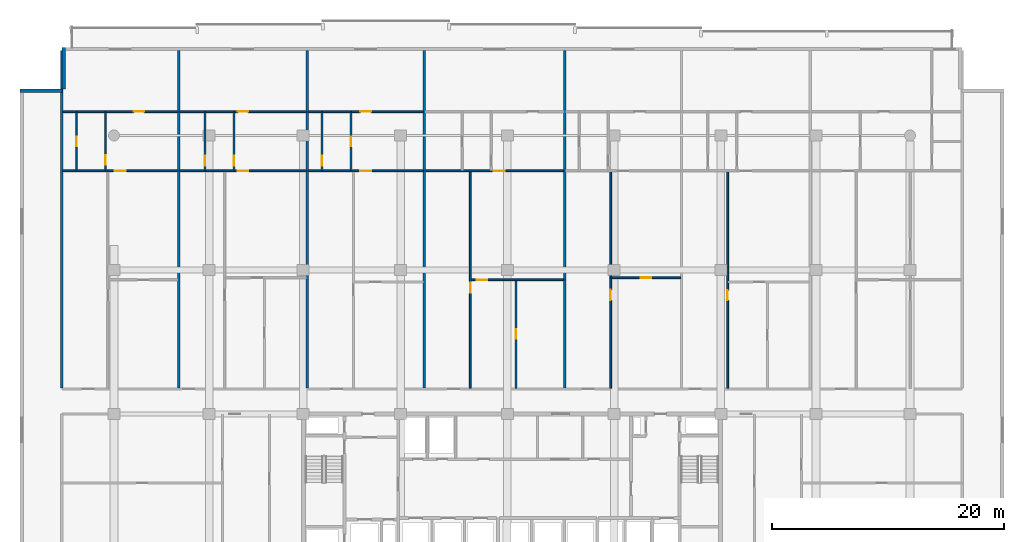
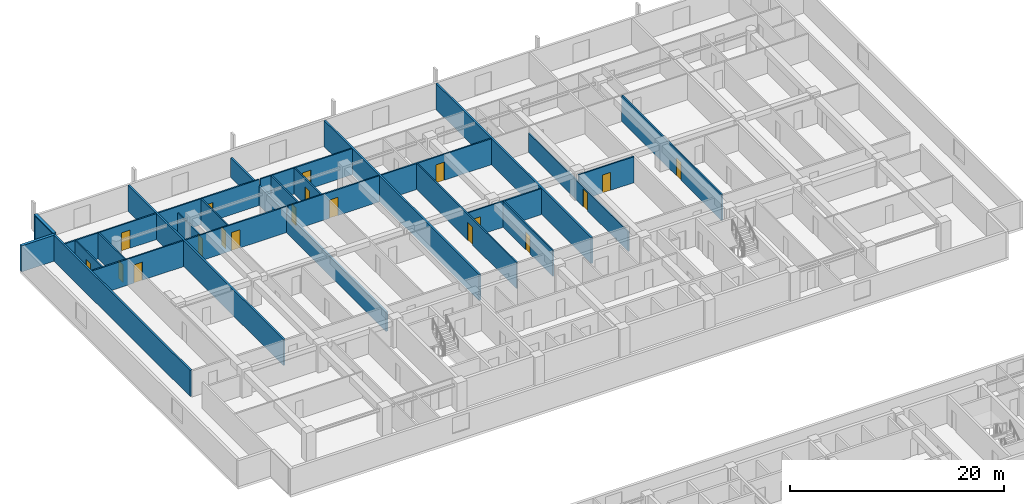
# One storey, part 14 of 23: 26 walls, 19 doors, 19 openings.
"""IFC4 building model written with IfcOpenShell, lengths in metres."""

from ifc_helpers import new_model, si_unit, direction, frame, frame_2d, origin, place, context, subcontext, project, spatial, rectangle, extrude, material, layer, layer_set, type_object, element, fill, save


model = new_model("IFC4")

# Units and contexts
model_context = context("Model", 3, precision=1e-05, world=origin(), true_north=direction((0.0, 1.0)))
body_context = subcontext(model_context, "Body", "Model", "MODEL_VIEW")
ifc_project = project(units=[si_unit("LENGTHUNIT", "METRE"), si_unit("AREAUNIT", "SQUARE_METRE"), si_unit("VOLUMEUNIT", "CUBIC_METRE"), si_unit("PLANEANGLEUNIT", "RADIAN"), si_unit("MASSUNIT", "GRAM", prefix="KILO")], contexts=[model_context])

# Site, building, storey
site_placement = place(None, origin())
site = spatial("IfcSite", under=ifc_project, at=site_placement, CompositionType="ELEMENT")
building_placement = place(site_placement, origin())
building = spatial("IfcBuilding", under=site, at=building_placement, Name="Korimba Cascade Residences", CompositionType="ELEMENT")
storey_placement = place(building_placement, frame((0.0, 0.0, 27.25)))
storey = spatial("IfcBuildingStorey", under=building, at=storey_placement, Name="L06", CompositionType="ELEMENT", Elevation=27.25)

# Walls
ifc_material_1 = material(Name="Precast concrete C40/50", Category="concrete")
ifc_layer_1 = layer(ifc_material_1, 0.300048828125)
ifc_layer_set_1 = layer_set([ifc_layer_1], Name="Precast concrete C40/50")
wall_type_1 = type_object("IfcWallType", Name="EW-STONE-300", PredefinedType="STANDARD", material=ifc_layer_set_1)
for number, where, z_axis, x_axis, name in (
    (1, (55.449951171875, 98.800048828125, 0.0), (0.0, 0.0, 1.0), (0.0, -1.0, 0.0), "L06 T1 Perimeter Stone Wall E07"),
    (2, (55.300048828125, 95.050048828125, 0.0), (0.0, 0.0, 1.0), (-1.0, 0.0, 0.0), "L06 T1 Perimeter Stone Wall E08"),
):
    element("IfcWall", number, at=place(storey_placement, frame(where, z_axis=z_axis, x_axis=x_axis)), inside=storey, type_object=wall_type_1, Name=name, PredefinedType="STANDARD", context=body_context, shape_type="SweptSolid", body=[
        extrude(rectangle(XDim=3.60009765625, YDim=0.300048828125, at=frame_2d((1.800048828125, 0.0))), origin(), (0.0, 0.0, 1.0), 2.969970703125),
    ])
ifc_layer_2 = layer(ifc_material_1, 0.199951171875)
ifc_layer_set_2 = layer_set([ifc_layer_2], Name="Precast concrete C40/50")
wall_type_2 = type_object("IfcWallType", Name="WAL-IT-200", PredefinedType="PARTITIONING", material=ifc_layer_set_2)
for number, where, z_axis, x_axis, name in (
    (3, (55.300048828125, 69.429931640625, 0.0), (0.0, 0.0, 1.0), (0.0, 1.0, 0.0), "L06 Partition Wall WAL-L06-T1-BNDWL"),
    (4, (65.3779296875, 69.429931640625, 0.0), (0.0, 0.0, 1.0), (0.0, 1.0, 0.0), "L06 Partition Wall WAL-L06-T1-DEM-1"),
):
    element("IfcWall", number, at=place(storey_placement, frame(where, z_axis=z_axis, x_axis=x_axis)), inside=storey, type_object=wall_type_2, Name=name, PredefinedType="PARTITIONING", context=body_context, shape_type="SweptSolid", body=[
        extrude(rectangle(XDim=29.070068359375, YDim=0.199951171875, at=frame_2d((14.53515625, 0.0))), origin(), (0.0, 0.0, 1.0), 2.969970703125),
    ])
wall_1_placement = place(storey_placement, frame((76.463623046875, 69.429931640625, 0.0), z_axis=(0.0, 0.0, 1.0), x_axis=(0.0, 1.0, 0.0)))
element("IfcWall", 5, at=wall_1_placement, inside=storey, type_object=wall_type_2, Name="L06 Partition Wall WAL-L06-T1-DEM-2", PredefinedType="PARTITIONING", context=body_context, shape_type="SweptSolid", body=[
    extrude(rectangle(XDim=29.070068359375, YDim=0.199951171875, at=frame_2d((14.53515625, 0.0))), origin(), (0.0, 0.0, 1.0), 2.219970703125),
])
for number, where, z_axis, x_axis, name in (
    (6, (86.54150390625, 69.429931640625, 0.0), (0.0, 0.0, 1.0), (0.0, 1.0, 0.0), "L06 Partition Wall WAL-L06-T1-DEM-3"),
    (7, (98.635009765625, 69.429931640625, 0.0), (0.0, 0.0, 1.0), (0.0, 1.0, 0.0), "L06 Partition Wall WAL-L06-T1-DEM-4"),
):
    element("IfcWall", number, at=place(storey_placement, frame(where, z_axis=z_axis, x_axis=x_axis)), inside=storey, type_object=wall_type_2, Name=name, PredefinedType="PARTITIONING", context=body_context, shape_type="SweptSolid", body=[
        extrude(rectangle(XDim=29.070068359375, YDim=0.199951171875, at=frame_2d((14.53515625, 0.0))), origin(), (0.0, 0.0, 1.0), 2.969970703125),
    ])

# Wall, opening, door
ifc_material_2 = material(Name="Insulated Acoustic Stud Partition", Category="gypsum")
ifc_layer_3 = layer(ifc_material_2, 0.14990234375)
ifc_layer_set_3 = layer_set([ifc_layer_3], Name="Insulated Acoustic Stud Partition")
wall_type_3 = type_object("IfcWallType", Name="WAL-PART-150", PredefinedType="PARTITIONING", material=ifc_layer_set_3)
wall_2_placement = place(storey_placement, frame((56.557861328125, 88.18994140625, 0.0), z_axis=(0.0, 0.0, 1.0), x_axis=(0.0, 1.0, 0.0)))
wall_2 = element("IfcWall", 8, at=wall_2_placement, inside=storey, type_object=wall_type_3, Name="L06 Partition Wall WAL-L06-T1-U01-CLS", PredefinedType="PARTITIONING", context=body_context, shape_type="SweptSolid", body=[
    extrude(rectangle(XDim=5.0, YDim=0.14990234375, at=frame_2d((2.5, 0.0))), origin(), (0.0, 0.0, 1.0), 2.969970703125),
])
opening_1_placement = place(wall_2_placement, frame((2.080078125, 0.0, 0.0)))
opening_1 = element("IfcOpeningElement", 9, at=opening_1_placement, cuts=wall_2, Name="Opening D-BT1", PredefinedType="OPENING", context=body_context, shape_type="SweptSolid", body=[
    extrude(rectangle(XDim=0.840087890625, YDim=2.0400390625, at=frame_2d((0.419921875, 1.02001953125))), frame((0.0, 0.0849609375, 0.0), z_axis=(0.0, -1.0, 0.0), x_axis=(1.0, 0.0, 0.0)), (0.0, 0.0, 1.0), 0.169921875),
])
ifc_material_3 = material(Name="Moisture-Resistant Bathroom Timber Door", Category="wood")
door_type_1 = type_object("IfcDoorType", Name="DR-INT-850", OperationType="NOTDEFINED", PredefinedType="DOOR", material=ifc_material_3)
door_1_placement = place(opening_1_placement, origin())
door_1 = element("IfcDoor", 10, at=door_1_placement, inside=storey, type_object=door_type_1, Name="L06-T1-U01 Closet Door", OperationType="SINGLE_SWING_RIGHT", OverallHeight=2.0400390625, OverallWidth=0.840087890625, PredefinedType="DOOR", context=body_context, shape_type="SweptSolid", body=[
    extrude(rectangle(XDim=0.840087890625, YDim=2.0400390625, at=frame_2d((0.419921875, 1.02001953125))), frame((0.0, 0.02490234375, 0.0), z_axis=(0.0, -1.0, 0.0), x_axis=(1.0, 0.0, 0.0)), (0.0, 0.0, 1.0), 0.050048828125),
])
fill(opening_1, door_1)

wall_3_placement = place(storey_placement, frame((59.057861328125, 88.18994140625, 0.0), z_axis=(0.0, 0.0, 1.0), x_axis=(0.0, 1.0, 0.0)))
wall_3 = element("IfcWall", 11, at=wall_3_placement, inside=storey, type_object=wall_type_3, Name="L06 Partition Wall WAL-L06-T1-U01-BM", PredefinedType="PARTITIONING", context=body_context, shape_type="SweptSolid", body=[
    extrude(rectangle(XDim=5.0, YDim=0.14990234375, at=frame_2d((2.5, 0.0))), origin(), (0.0, 0.0, 1.0), 2.969970703125),
])
opening_2_placement = place(wall_3_placement, frame((0.46728515625, 0.0, 0.0)))
opening_2 = element("IfcOpeningElement", 12, at=opening_2_placement, cuts=wall_3, Name="Opening D-BT1", PredefinedType="OPENING", context=body_context, shape_type="SweptSolid", body=[
    extrude(rectangle(XDim=0.840087890625, YDim=2.0400390625, at=frame_2d((0.419921875, 1.02001953125))), frame((0.0, 0.0849609375, 0.0), z_axis=(0.0, -1.0, 0.0), x_axis=(1.0, 0.0, 0.0)), (0.0, 0.0, 1.0), 0.169921875),
])
door_2_placement = place(opening_2_placement, origin())
door_2 = element("IfcDoor", 13, at=door_2_placement, inside=storey, type_object=door_type_1, Name="L06-T1-U01 Bathroom Door", OperationType="SINGLE_SWING_LEFT", OverallHeight=2.0400390625, OverallWidth=0.840087890625, PredefinedType="DOOR", context=body_context, shape_type="SweptSolid", body=[
    extrude(rectangle(XDim=0.840087890625, YDim=2.0400390625, at=frame_2d((0.419921875, 1.02001953125))), frame((0.0, 0.02490234375, 0.0), z_axis=(0.0, -1.0, 0.0), x_axis=(1.0, 0.0, 0.0)), (0.0, 0.0, 1.0), 0.050048828125),
])
fill(opening_2, door_2)

wall_4_placement = place(storey_placement, frame((55.3798828125, 88.14990234375, 0.0), z_axis=(0.0, 0.0, 1.0), x_axis=(1.0, 0.0, 0.0)))
wall_4 = element("IfcWall", 14, at=wall_4_placement, inside=storey, type_object=wall_type_3, Name="L06 Partition Wall WAL-L06-T1-U01-MW", PredefinedType="PARTITIONING", context=body_context, shape_type="SweptSolid", body=[
    extrude(rectangle(XDim=9.91796875, YDim=0.14990234375, at=frame_2d((4.958984375, 0.0))), origin(), (0.0, 0.0, 1.0), 2.969970703125),
])
opening_3_placement = place(wall_4_placement, frame((4.498779296875, 0.0, 0.0)))
opening_3 = element("IfcOpeningElement", 15, at=opening_3_placement, cuts=wall_4, Name="Opening D-IN1", PredefinedType="OPENING", context=body_context, shape_type="SweptSolid", body=[
    extrude(rectangle(XDim=0.919921875, YDim=2.080078125, at=frame_2d((0.4599609375, 1.0400390625))), frame((0.0, 0.0849609375, 0.0), z_axis=(0.0, -1.0, 0.0), x_axis=(1.0, 0.0, 0.0)), (0.0, 0.0, 1.0), 0.169921875),
])
ifc_material_4 = material(Name="Acoustic Timber Living Door", Category="wood")
door_type_2 = type_object("IfcDoorType", Name="DR-INT-920", OperationType="NOTDEFINED", PredefinedType="DOOR", material=ifc_material_4)
door_3_placement = place(opening_3_placement, origin())
door_3 = element("IfcDoor", 16, at=door_3_placement, inside=storey, type_object=door_type_2, Name="L06-T1-U01 Studio Kitchen Door", OperationType="SINGLE_SWING_RIGHT", OverallHeight=2.080078125, OverallWidth=0.919921875, PredefinedType="DOOR", context=body_context, shape_type="SweptSolid", body=[
    extrude(rectangle(XDim=0.919921875, YDim=2.080078125, at=frame_2d((0.4599609375, 1.0400390625))), frame((0.0, 0.02490234375, 0.0), z_axis=(0.0, -1.0, 0.0), x_axis=(1.0, 0.0, 0.0)), (0.0, 0.0, 1.0), 0.050048828125),
])
fill(opening_3, door_3)

wall_5_placement = place(storey_placement, frame((55.3798828125, 93.25, 0.0), z_axis=(0.0, 0.0, 1.0), x_axis=(1.0, 0.0, 0.0)))
wall_5 = element("IfcWall", 17, at=wall_5_placement, inside=storey, type_object=wall_type_3, Name="L06 Partition Wall WAL-L06-T1-U01-HZ", PredefinedType="PARTITIONING", context=body_context, shape_type="SweptSolid", body=[
    extrude(rectangle(XDim=9.91796875, YDim=0.14990234375, at=frame_2d((4.958984375, 0.0))), origin(), (0.0, 0.0, 1.0), 2.969970703125),
])
opening_4_placement = place(wall_5_placement, frame((6.126708984375, 0.0, 0.0)))
opening_4 = element("IfcOpeningElement", 18, at=opening_4_placement, cuts=wall_5, Name="Opening D-IN1", PredefinedType="OPENING", context=body_context, shape_type="SweptSolid", body=[
    extrude(rectangle(XDim=0.919921875, YDim=2.080078125, at=frame_2d((0.4599609375, 1.0400390625))), frame((0.0, 0.0849609375, 0.0), z_axis=(0.0, -1.0, 0.0), x_axis=(1.0, 0.0, 0.0)), (0.0, 0.0, 1.0), 0.169921875),
])
door_4_placement = place(opening_4_placement, origin())
door_4 = element("IfcDoor", 19, at=door_4_placement, inside=storey, type_object=door_type_2, Name="L06-T1-U01 Studio Door", OperationType="SINGLE_SWING_LEFT", OverallHeight=2.080078125, OverallWidth=0.919921875, PredefinedType="DOOR", context=body_context, shape_type="SweptSolid", body=[
    extrude(rectangle(XDim=0.919921875, YDim=2.080078125, at=frame_2d((0.4599609375, 1.0400390625))), frame((0.0, 0.02490234375, 0.0), z_axis=(0.0, -1.0, 0.0), x_axis=(1.0, 0.0, 0.0)), (0.0, 0.0, 1.0), 0.050048828125),
])
fill(opening_4, door_4)

wall_6_placement = place(storey_placement, frame((67.6435546875, 88.18994140625, 0.0), z_axis=(0.0, 0.0, 1.0), x_axis=(0.0, 1.0, 0.0)))
wall_6 = element("IfcWall", 20, at=wall_6_placement, inside=storey, type_object=wall_type_3, Name="L06 Partition Wall WAL-L06-T1-U02-CLS", PredefinedType="PARTITIONING", context=body_context, shape_type="SweptSolid", body=[
    extrude(rectangle(XDim=5.0, YDim=0.14990234375, at=frame_2d((2.5, 0.0))), origin(), (0.0, 0.0, 1.0), 2.219970703125),
])
opening_5_placement = place(wall_6_placement, frame((0.419189453125, 0.0, 0.0)))
opening_5 = element("IfcOpeningElement", 21, at=opening_5_placement, cuts=wall_6, Name="Opening D-BT1", PredefinedType="OPENING", context=body_context, shape_type="SweptSolid", body=[
    extrude(rectangle(XDim=0.840087890625, YDim=2.0400390625, at=frame_2d((0.419921875, 1.02001953125))), frame((0.0, 0.0849609375, 0.0), z_axis=(0.0, -1.0, 0.0), x_axis=(1.0, 0.0, 0.0)), (0.0, 0.0, 1.0), 0.169921875),
])
door_5_placement = place(opening_5_placement, origin())
door_5 = element("IfcDoor", 22, at=door_5_placement, inside=storey, type_object=door_type_1, Name="L06-T1-U02 Closet Door", OperationType="SINGLE_SWING_LEFT", OverallHeight=2.0400390625, OverallWidth=0.840087890625, PredefinedType="DOOR", context=body_context, shape_type="SweptSolid", body=[
    extrude(rectangle(XDim=0.840087890625, YDim=2.0400390625, at=frame_2d((0.419921875, 1.02001953125))), frame((0.0, 0.02490234375, 0.0), z_axis=(0.0, -1.0, 0.0), x_axis=(1.0, 0.0, 0.0)), (0.0, 0.0, 1.0), 0.050048828125),
])
fill(opening_5, door_5)

wall_7_placement = place(storey_placement, frame((70.1435546875, 88.18994140625, 0.0), z_axis=(0.0, 0.0, 1.0), x_axis=(0.0, 1.0, 0.0)))
wall_7 = element("IfcWall", 23, at=wall_7_placement, inside=storey, type_object=wall_type_3, Name="L06 Partition Wall WAL-L06-T1-U02-BM", PredefinedType="PARTITIONING", context=body_context, shape_type="SweptSolid", body=[
    extrude(rectangle(XDim=5.0, YDim=0.14990234375, at=frame_2d((2.5, 0.0))), origin(), (0.0, 0.0, 1.0), 2.969970703125),
])
opening_6_placement = place(wall_7_placement, frame((0.39990234375, 0.0, 0.0)))
opening_6 = element("IfcOpeningElement", 24, at=opening_6_placement, cuts=wall_7, Name="Opening D-BT1", PredefinedType="OPENING", context=body_context, shape_type="SweptSolid", body=[
    extrude(rectangle(XDim=0.840087890625, YDim=2.0400390625, at=frame_2d((0.419921875, 1.02001953125))), frame((0.0, 0.0849609375, 0.0), z_axis=(0.0, -1.0, 0.0), x_axis=(1.0, 0.0, 0.0)), (0.0, 0.0, 1.0), 0.169921875),
])
door_6_placement = place(opening_6_placement, origin())
door_6 = element("IfcDoor", 25, at=door_6_placement, inside=storey, type_object=door_type_1, Name="L06-T1-U02 Bathroom Door", OperationType="SINGLE_SWING_RIGHT", OverallHeight=2.0400390625, OverallWidth=0.840087890625, PredefinedType="DOOR", context=body_context, shape_type="SweptSolid", body=[
    extrude(rectangle(XDim=0.840087890625, YDim=2.0400390625, at=frame_2d((0.419921875, 1.02001953125))), frame((0.0, 0.02490234375, 0.0), z_axis=(0.0, -1.0, 0.0), x_axis=(1.0, 0.0, 0.0)), (0.0, 0.0, 1.0), 0.050048828125),
])
fill(opening_6, door_6)

wall_8_placement = place(storey_placement, frame((65.4580078125, 88.14990234375, 0.0), z_axis=(0.0, 0.0, 1.0), x_axis=(1.0, 0.0, 0.0)))
wall_8 = element("IfcWall", 26, at=wall_8_placement, inside=storey, type_object=wall_type_3, Name="L06 Partition Wall WAL-L06-T1-U02-MW", PredefinedType="PARTITIONING", context=body_context, shape_type="SweptSolid", body=[
    extrude(rectangle(XDim=10.925537109375, YDim=0.14990234375, at=frame_2d((5.462890625, 0.0))), origin(), (0.0, 0.0, 1.0), 2.969970703125),
])
opening_7_placement = place(wall_8_placement, frame((5.0029296875, 0.0, 0.0)))
opening_7 = element("IfcOpeningElement", 27, at=opening_7_placement, cuts=wall_8, Name="Opening D-IN1", PredefinedType="OPENING", context=body_context, shape_type="SweptSolid", body=[
    extrude(rectangle(XDim=0.919921875, YDim=2.080078125, at=frame_2d((0.4599609375, 1.0400390625))), frame((0.0, 0.0849609375, 0.0), z_axis=(0.0, -1.0, 0.0), x_axis=(1.0, 0.0, 0.0)), (0.0, 0.0, 1.0), 0.169921875),
])
door_7_placement = place(opening_7_placement, origin())
door_7 = element("IfcDoor", 28, at=door_7_placement, inside=storey, type_object=door_type_2, Name="L06-T1-U02 Studio Kitchen Door", OperationType="SINGLE_SWING_LEFT", OverallHeight=2.080078125, OverallWidth=0.919921875, PredefinedType="DOOR", context=body_context, shape_type="SweptSolid", body=[
    extrude(rectangle(XDim=0.919921875, YDim=2.080078125, at=frame_2d((0.4599609375, 1.0400390625))), frame((0.0, 0.02490234375, 0.0), z_axis=(0.0, -1.0, 0.0), x_axis=(1.0, 0.0, 0.0)), (0.0, 0.0, 1.0), 0.050048828125),
])
fill(opening_7, door_7)

wall_9_placement = place(storey_placement, frame((65.4580078125, 93.25, 0.0), z_axis=(0.0, 0.0, 1.0), x_axis=(1.0, 0.0, 0.0)))
wall_9 = element("IfcWall", 29, at=wall_9_placement, inside=storey, type_object=wall_type_3, Name="L06 Partition Wall WAL-L06-T1-U02-HZ", PredefinedType="PARTITIONING", context=body_context, shape_type="SweptSolid", body=[
    extrude(rectangle(XDim=10.925537109375, YDim=0.14990234375, at=frame_2d((5.462890625, 0.0))), origin(), (0.0, 0.0, 1.0), 2.969970703125),
])
opening_8_placement = place(wall_9_placement, frame((5.0029296875, 0.0, 0.0)))
opening_8 = element("IfcOpeningElement", 30, at=opening_8_placement, cuts=wall_9, Name="Opening D-IN1", PredefinedType="OPENING", context=body_context, shape_type="SweptSolid", body=[
    extrude(rectangle(XDim=0.919921875, YDim=2.080078125, at=frame_2d((0.4599609375, 1.0400390625))), frame((0.0, 0.0849609375, 0.0), z_axis=(0.0, -1.0, 0.0), x_axis=(1.0, 0.0, 0.0)), (0.0, 0.0, 1.0), 0.169921875),
])
door_8_placement = place(opening_8_placement, origin())
door_8 = element("IfcDoor", 31, at=door_8_placement, inside=storey, type_object=door_type_2, Name="L06-T1-U02 Studio Door", OperationType="SINGLE_SWING_RIGHT", OverallHeight=2.080078125, OverallWidth=0.919921875, PredefinedType="DOOR", context=body_context, shape_type="SweptSolid", body=[
    extrude(rectangle(XDim=0.919921875, YDim=2.080078125, at=frame_2d((0.4599609375, 1.0400390625))), frame((0.0, 0.02490234375, 0.0), z_axis=(0.0, -1.0, 0.0), x_axis=(1.0, 0.0, 0.0)), (0.0, 0.0, 1.0), 0.050048828125),
])
fill(opening_8, door_8)

wall_10_placement = place(storey_placement, frame((77.721435546875, 88.18994140625, 0.0), z_axis=(0.0, 0.0, 1.0), x_axis=(0.0, 1.0, 0.0)))
wall_10 = element("IfcWall", 32, at=wall_10_placement, inside=storey, type_object=wall_type_3, Name="L06 Partition Wall WAL-L06-T1-U03-CLS", PredefinedType="PARTITIONING", context=body_context, shape_type="SweptSolid", body=[
    extrude(rectangle(XDim=5.0, YDim=0.14990234375, at=frame_2d((2.5, 0.0))), origin(), (0.0, 0.0, 1.0), 2.969970703125),
])
opening_9_placement = place(wall_10_placement, frame((0.419189453125, 0.0, 0.0)))
opening_9 = element("IfcOpeningElement", 33, at=opening_9_placement, cuts=wall_10, Name="Opening D-BT1", PredefinedType="OPENING", context=body_context, shape_type="SweptSolid", body=[
    extrude(rectangle(XDim=0.840087890625, YDim=2.0400390625, at=frame_2d((0.419921875, 1.02001953125))), frame((0.0, 0.0849609375, 0.0), z_axis=(0.0, -1.0, 0.0), x_axis=(1.0, 0.0, 0.0)), (0.0, 0.0, 1.0), 0.169921875),
])
door_9_placement = place(opening_9_placement, origin())
door_9 = element("IfcDoor", 34, at=door_9_placement, inside=storey, type_object=door_type_1, Name="L06-T1-U03 Closet Door", OperationType="SINGLE_SWING_LEFT", OverallHeight=2.0400390625, OverallWidth=0.840087890625, PredefinedType="DOOR", context=body_context, shape_type="SweptSolid", body=[
    extrude(rectangle(XDim=0.840087890625, YDim=2.0400390625, at=frame_2d((0.419921875, 1.02001953125))), frame((0.0, 0.02490234375, 0.0), z_axis=(0.0, -1.0, 0.0), x_axis=(1.0, 0.0, 0.0)), (0.0, 0.0, 1.0), 0.050048828125),
])
fill(opening_9, door_9)

wall_11_placement = place(storey_placement, frame((80.221435546875, 88.18994140625, 0.0), z_axis=(0.0, 0.0, 1.0), x_axis=(0.0, 1.0, 0.0)))
wall_11 = element("IfcWall", 35, at=wall_11_placement, inside=storey, type_object=wall_type_3, Name="L06 Partition Wall WAL-L06-T1-U03-BM", PredefinedType="PARTITIONING", context=body_context, shape_type="SweptSolid", body=[
    extrude(rectangle(XDim=5.0, YDim=0.14990234375, at=frame_2d((2.5, 0.0))), origin(), (0.0, 0.0, 1.0), 2.969970703125),
])
opening_10_placement = place(wall_11_placement, frame((2.080078125, 0.0, 0.0)))
opening_10 = element("IfcOpeningElement", 36, at=opening_10_placement, cuts=wall_11, Name="Opening D-BT1", PredefinedType="OPENING", context=body_context, shape_type="SweptSolid", body=[
    extrude(rectangle(XDim=0.840087890625, YDim=2.0400390625, at=frame_2d((0.419921875, 1.02001953125))), frame((0.0, 0.0849609375, 0.0), z_axis=(0.0, -1.0, 0.0), x_axis=(1.0, 0.0, 0.0)), (0.0, 0.0, 1.0), 0.169921875),
])
door_10_placement = place(opening_10_placement, origin())
door_10 = element("IfcDoor", 37, at=door_10_placement, inside=storey, type_object=door_type_1, Name="L06-T1-U03 Bathroom Door", OperationType="SINGLE_SWING_RIGHT", OverallHeight=2.0400390625, OverallWidth=0.840087890625, PredefinedType="DOOR", context=body_context, shape_type="SweptSolid", body=[
    extrude(rectangle(XDim=0.840087890625, YDim=2.0400390625, at=frame_2d((0.419921875, 1.02001953125))), frame((0.0, 0.02490234375, 0.0), z_axis=(0.0, -1.0, 0.0), x_axis=(1.0, 0.0, 0.0)), (0.0, 0.0, 1.0), 0.050048828125),
])
fill(opening_10, door_10)

wall_12_placement = place(storey_placement, frame((76.543701171875, 88.14990234375, 0.0), z_axis=(0.0, 0.0, 1.0), x_axis=(1.0, 0.0, 0.0)))
wall_12 = element("IfcWall", 38, at=wall_12_placement, inside=storey, type_object=wall_type_3, Name="L06 Partition Wall WAL-L06-T1-U03-MW", PredefinedType="PARTITIONING", context=body_context, shape_type="SweptSolid", body=[
    extrude(rectangle(XDim=9.917724609375, YDim=0.14990234375, at=frame_2d((4.958984375, 0.0))), origin(), (0.0, 0.0, 1.0), 2.969970703125),
])
opening_11_placement = place(wall_12_placement, frame((4.4990234375, 0.0, 0.0)))
opening_11 = element("IfcOpeningElement", 39, at=opening_11_placement, cuts=wall_12, Name="Opening D-IN1", PredefinedType="OPENING", context=body_context, shape_type="SweptSolid", body=[
    extrude(rectangle(XDim=0.919921875, YDim=2.080078125, at=frame_2d((0.4599609375, 1.0400390625))), frame((0.0, 0.0849609375, 0.0), z_axis=(0.0, -1.0, 0.0), x_axis=(1.0, 0.0, 0.0)), (0.0, 0.0, 1.0), 0.169921875),
])
door_11_placement = place(opening_11_placement, origin())
door_11 = element("IfcDoor", 40, at=door_11_placement, inside=storey, type_object=door_type_2, Name="L06-T1-U03 Studio Kitchen Door", OperationType="SINGLE_SWING_LEFT", OverallHeight=2.080078125, OverallWidth=0.919921875, PredefinedType="DOOR", context=body_context, shape_type="SweptSolid", body=[
    extrude(rectangle(XDim=0.919921875, YDim=2.080078125, at=frame_2d((0.4599609375, 1.0400390625))), frame((0.0, 0.02490234375, 0.0), z_axis=(0.0, -1.0, 0.0), x_axis=(1.0, 0.0, 0.0)), (0.0, 0.0, 1.0), 0.050048828125),
])
fill(opening_11, door_11)

wall_13_placement = place(storey_placement, frame((76.543701171875, 93.25, 0.0), z_axis=(0.0, 0.0, 1.0), x_axis=(1.0, 0.0, 0.0)))
wall_13 = element("IfcWall", 41, at=wall_13_placement, inside=storey, type_object=wall_type_3, Name="L06 Partition Wall WAL-L06-T1-U03-HZ", PredefinedType="PARTITIONING", context=body_context, shape_type="SweptSolid", body=[
    extrude(rectangle(XDim=9.917724609375, YDim=0.14990234375, at=frame_2d((4.958984375, 0.0))), origin(), (0.0, 0.0, 1.0), 2.969970703125),
])
opening_12_placement = place(wall_13_placement, frame((4.4990234375, 0.0, 0.0)))
opening_12 = element("IfcOpeningElement", 42, at=opening_12_placement, cuts=wall_13, Name="Opening D-IN1", PredefinedType="OPENING", context=body_context, shape_type="SweptSolid", body=[
    extrude(rectangle(XDim=0.919921875, YDim=2.080078125, at=frame_2d((0.4599609375, 1.0400390625))), frame((0.0, 0.0849609375, 0.0), z_axis=(0.0, -1.0, 0.0), x_axis=(1.0, 0.0, 0.0)), (0.0, 0.0, 1.0), 0.169921875),
])
door_12_placement = place(opening_12_placement, origin())
door_12 = element("IfcDoor", 43, at=door_12_placement, inside=storey, type_object=door_type_2, Name="L06-T1-U03 Studio Door", OperationType="SINGLE_SWING_RIGHT", OverallHeight=2.080078125, OverallWidth=0.919921875, PredefinedType="DOOR", context=body_context, shape_type="SweptSolid", body=[
    extrude(rectangle(XDim=0.919921875, YDim=2.080078125, at=frame_2d((0.4599609375, 1.0400390625))), frame((0.0, 0.02490234375, 0.0), z_axis=(0.0, -1.0, 0.0), x_axis=(1.0, 0.0, 0.0)), (0.0, 0.0, 1.0), 0.050048828125),
])
fill(opening_12, door_12)

wall_14_placement = place(storey_placement, frame((94.443115234375, 69.409912109375, 0.0), z_axis=(0.0, 0.0, 1.0), x_axis=(0.0, 1.0, 0.0)))
wall_14 = element("IfcWall", 44, at=wall_14_placement, inside=storey, type_object=wall_type_3, Name="L06 Partition Wall WAL-L06-T1-U04-FMV", PredefinedType="PARTITIONING", context=body_context, shape_type="SweptSolid", body=[
    extrude(rectangle(XDim=9.35009765625, YDim=0.14990234375, at=frame_2d((4.675048828125, 0.0))), origin(), (0.0, 0.0, 1.0), 2.969970703125),
])
opening_13_placement = place(wall_14_placement, frame((4.2548828125, 0.0, 0.0)))
opening_13 = element("IfcOpeningElement", 45, at=opening_13_placement, cuts=wall_14, Name="Opening D-BT1", PredefinedType="OPENING", context=body_context, shape_type="SweptSolid", body=[
    extrude(rectangle(XDim=0.840087890625, YDim=2.0400390625, at=frame_2d((0.419921875, 1.02001953125))), frame((0.0, 0.0849609375, 0.0), z_axis=(0.0, -1.0, 0.0), x_axis=(1.0, 0.0, 0.0)), (0.0, 0.0, 1.0), 0.169921875),
])
door_13_placement = place(opening_13_placement, origin())
door_13 = element("IfcDoor", 46, at=door_13_placement, inside=storey, type_object=door_type_1, Name="L06-T1-U04 Wardrobe Door", OperationType="SINGLE_SWING_LEFT", OverallHeight=2.0400390625, OverallWidth=0.840087890625, PredefinedType="DOOR", context=body_context, shape_type="SweptSolid", body=[
    extrude(rectangle(XDim=0.840087890625, YDim=2.0400390625, at=frame_2d((0.419921875, 1.02001953125))), frame((0.0, 0.02490234375, 0.0), z_axis=(0.0, -1.0, 0.0), x_axis=(1.0, 0.0, 0.0)), (0.0, 0.0, 1.0), 0.050048828125),
])
fill(opening_13, door_13)

wall_15_placement = place(storey_placement, frame((90.571533203125, 78.760009765625, 0.0), z_axis=(0.0, 0.0, 1.0), x_axis=(1.0, 0.0, 0.0)))
wall_15 = element("IfcWall", 47, at=wall_15_placement, inside=storey, type_object=wall_type_3, Name="L06 Partition Wall WAL-L06-T1-U04-FMH", PredefinedType="PARTITIONING", context=body_context, shape_type="SweptSolid", body=[
    extrude(rectangle(XDim=7.9833984375, YDim=0.14990234375, at=frame_2d((3.99169921875, 0.0))), origin(), (0.0, 0.0, 1.0), 2.969970703125),
])
opening_14_placement = place(wall_15_placement, frame((0.495361328125, 0.0, 0.0)))
opening_14 = element("IfcOpeningElement", 48, at=opening_14_placement, cuts=wall_15, Name="Opening D-IN2", PredefinedType="OPENING", context=body_context, shape_type="SweptSolid", body=[
    extrude(rectangle(XDim=0.8798828125, YDim=2.06005859375, at=frame_2d((0.43994140625, 1.030029296875))), frame((0.0, 0.0849609375, 0.0), z_axis=(0.0, -1.0, 0.0), x_axis=(1.0, 0.0, 0.0)), (0.0, 0.0, 1.0), 0.169921875),
])
ifc_material_5 = material(Name="Acoustic Timber Bedroom Door", Category="wood")
door_type_3 = type_object("IfcDoorType", Name="DR-INT-880", OperationType="NOTDEFINED", PredefinedType="DOOR", material=ifc_material_5)
door_14_placement = place(opening_14_placement, origin())
door_14 = element("IfcDoor", 49, at=door_14_placement, inside=storey, type_object=door_type_3, Name="L06-T1-U04 Library Salon Door", OperationType="SINGLE_SWING_RIGHT", OverallHeight=2.06005859375, OverallWidth=0.8798828125, PredefinedType="DOOR", context=body_context, shape_type="SweptSolid", body=[
    extrude(rectangle(XDim=0.8798828125, YDim=2.06005859375, at=frame_2d((0.43994140625, 1.030029296875))), frame((0.0, 0.02490234375, 0.0), z_axis=(0.0, -1.0, 0.0), x_axis=(1.0, 0.0, 0.0)), (0.0, 0.0, 1.0), 0.050048828125),
])
fill(opening_14, door_14)

wall_16_placement = place(storey_placement, frame((90.511474609375, 69.409912109375, 0.0), z_axis=(0.0, 0.0, 1.0), x_axis=(0.0, 1.0, 0.0)))
wall_16 = element("IfcWall", 50, at=wall_16_placement, inside=storey, type_object=wall_type_3, Name="L06 Partition Wall WAL-L06-T1-U04-FV", PredefinedType="PARTITIONING", context=body_context, shape_type="SweptSolid", body=[
    extrude(rectangle(XDim=18.7001953125, YDim=0.14990234375, at=frame_2d((9.35009765625, 0.0))), origin(), (0.0, 0.0, 1.0), 2.969970703125),
])
opening_15_placement = place(wall_16_placement, frame((8.219970703125, 0.0, 0.0)))
opening_15 = element("IfcOpeningElement", 51, at=opening_15_placement, cuts=wall_16, Name="Opening D-IN2", PredefinedType="OPENING", context=body_context, shape_type="SweptSolid", body=[
    extrude(rectangle(XDim=0.8798828125, YDim=2.06005859375, at=frame_2d((0.43994140625, 1.030029296875))), frame((0.0, 0.0849609375, 0.0), z_axis=(0.0, -1.0, 0.0), x_axis=(1.0, 0.0, 0.0)), (0.0, 0.0, 1.0), 0.169921875),
])
door_15_placement = place(opening_15_placement, origin())
door_15 = element("IfcDoor", 52, at=door_15_placement, inside=storey, type_object=door_type_3, Name="L06-T1-U04 Media Lounge Door", OperationType="SINGLE_SWING_LEFT", OverallHeight=2.06005859375, OverallWidth=0.8798828125, PredefinedType="DOOR", context=body_context, shape_type="SweptSolid", body=[
    extrude(rectangle(XDim=0.8798828125, YDim=2.06005859375, at=frame_2d((0.43994140625, 1.030029296875))), frame((0.0, 0.02490234375, 0.0), z_axis=(0.0, -1.0, 0.0), x_axis=(1.0, 0.0, 0.0)), (0.0, 0.0, 1.0), 0.050048828125),
])
fill(opening_15, door_15)

wall_17_placement = place(storey_placement, frame((86.62158203125, 88.14990234375, 0.0), z_axis=(0.0, 0.0, 1.0), x_axis=(1.0, 0.0, 0.0)))
wall_17 = element("IfcWall", 53, at=wall_17_placement, inside=storey, type_object=wall_type_3, Name="L06 Partition Wall WAL-L06-T1-U04-MW", PredefinedType="PARTITIONING", context=body_context, shape_type="SweptSolid", body=[
    extrude(rectangle(XDim=11.933349609375, YDim=0.14990234375, at=frame_2d((5.966796875, 0.0))), origin(), (0.0, 0.0, 1.0), 2.969970703125),
])
opening_16_placement = place(wall_17_placement, frame((5.91357421875, 0.0, 0.0)))
opening_16 = element("IfcOpeningElement", 54, at=opening_16_placement, cuts=wall_17, Name="Opening D-IN1", PredefinedType="OPENING", context=body_context, shape_type="SweptSolid", body=[
    extrude(rectangle(XDim=0.919921875, YDim=2.080078125, at=frame_2d((0.4599609375, 1.0400390625))), frame((0.0, 0.0849609375, 0.0), z_axis=(0.0, -1.0, 0.0), x_axis=(1.0, 0.0, 0.0)), (0.0, 0.0, 1.0), 0.169921875),
])
door_16_placement = place(opening_16_placement, origin())
door_16 = element("IfcDoor", 55, at=door_16_placement, inside=storey, type_object=door_type_2, Name="L06-T1-U04 Studio Kitchen Door", OperationType="SINGLE_SWING_RIGHT", OverallHeight=2.080078125, OverallWidth=0.919921875, PredefinedType="DOOR", context=body_context, shape_type="SweptSolid", body=[
    extrude(rectangle(XDim=0.919921875, YDim=2.080078125, at=frame_2d((0.4599609375, 1.0400390625))), frame((0.0, 0.02490234375, 0.0), z_axis=(0.0, -1.0, 0.0), x_axis=(1.0, 0.0, 0.0)), (0.0, 0.0, 1.0), 0.050048828125),
])
fill(opening_16, door_16)

wall_18_placement = place(storey_placement, frame((102.6650390625, 78.93994140625, 0.0), z_axis=(0.0, 0.0, 1.0), x_axis=(1.0, 0.0, 0.0)))
wall_18 = element("IfcWall", 56, at=wall_18_placement, inside=storey, type_object=wall_type_3, Name="L06 Partition Wall WAL-L06-T1-U05-FMH", PredefinedType="PARTITIONING", context=body_context, shape_type="SweptSolid", body=[
    extrude(rectangle(XDim=5.9677734375, YDim=0.14990234375, at=frame_2d((2.98388671875, 0.0))), origin(), (0.0, 0.0, 1.0), 2.969970703125),
])
opening_17_placement = place(wall_18_placement, frame((2.5439453125, 0.0, 0.0)))
opening_17 = element("IfcOpeningElement", 57, at=opening_17_placement, cuts=wall_18, Name="Opening D-IN2", PredefinedType="OPENING", context=body_context, shape_type="SweptSolid", body=[
    extrude(rectangle(XDim=0.8798828125, YDim=2.06005859375, at=frame_2d((0.43994140625, 1.030029296875))), frame((0.0, 0.0849609375, 0.0), z_axis=(0.0, -1.0, 0.0), x_axis=(1.0, 0.0, 0.0)), (0.0, 0.0, 1.0), 0.169921875),
])
door_17_placement = place(opening_17_placement, origin())
door_17 = element("IfcDoor", 58, at=door_17_placement, inside=storey, type_object=door_type_3, Name="L06-T1-U05 Library Salon Door", OperationType="SINGLE_SWING_RIGHT", OverallHeight=2.06005859375, OverallWidth=0.8798828125, PredefinedType="DOOR", context=body_context, shape_type="SweptSolid", body=[
    extrude(rectangle(XDim=0.8798828125, YDim=2.06005859375, at=frame_2d((0.43994140625, 1.030029296875))), frame((0.0, 0.02490234375, 0.0), z_axis=(0.0, -1.0, 0.0), x_axis=(1.0, 0.0, 0.0)), (0.0, 0.0, 1.0), 0.050048828125),
])
fill(opening_17, door_17)

wall_19_placement = place(storey_placement, frame((102.60498046875, 69.409912109375, 0.0), z_axis=(0.0, 0.0, 1.0), x_axis=(0.0, 1.0, 0.0)))
wall_19 = element("IfcWall", 59, at=wall_19_placement, inside=storey, type_object=wall_type_3, Name="L06 Partition Wall WAL-L06-T1-U05-FV", PredefinedType="PARTITIONING", context=body_context, shape_type="SweptSolid", body=[
    extrude(rectangle(XDim=18.7001953125, YDim=0.14990234375, at=frame_2d((9.35009765625, 0.0))), origin(), (0.0, 0.0, 1.0), 2.219970703125),
])
opening_18_placement = place(wall_19_placement, frame((7.594970703125, 0.0, 0.0)))
opening_18 = element("IfcOpeningElement", 60, at=opening_18_placement, cuts=wall_19, Name="Opening D-IN2", PredefinedType="OPENING", context=body_context, shape_type="SweptSolid", body=[
    extrude(rectangle(XDim=0.8798828125, YDim=2.06005859375, at=frame_2d((0.43994140625, 1.030029296875))), frame((0.0, 0.0849609375, 0.0), z_axis=(0.0, -1.0, 0.0), x_axis=(1.0, 0.0, 0.0)), (0.0, 0.0, 1.0), 0.169921875),
])
door_18_placement = place(opening_18_placement, origin())
door_18 = element("IfcDoor", 61, at=door_18_placement, inside=storey, type_object=door_type_3, Name="L06-T1-U05 Media Lounge Door", OperationType="SINGLE_SWING_LEFT", OverallHeight=2.06005859375, OverallWidth=0.8798828125, PredefinedType="DOOR", context=body_context, shape_type="SweptSolid", body=[
    extrude(rectangle(XDim=0.8798828125, YDim=2.06005859375, at=frame_2d((0.43994140625, 1.030029296875))), frame((0.0, 0.02490234375, 0.0), z_axis=(0.0, -1.0, 0.0), x_axis=(1.0, 0.0, 0.0)), (0.0, 0.0, 1.0), 0.050048828125),
])
fill(opening_18, door_18)

wall_20_placement = place(storey_placement, frame((112.682861328125, 69.409912109375, 0.0), z_axis=(0.0, 0.0, 1.0), x_axis=(0.0, 1.0, 0.0)))
wall_20 = element("IfcWall", 62, at=wall_20_placement, inside=storey, type_object=wall_type_3, Name="L06 Partition Wall WAL-L06-T1-U06-FV", PredefinedType="PARTITIONING", context=body_context, shape_type="SweptSolid", body=[
    extrude(rectangle(XDim=18.7001953125, YDim=0.14990234375, at=frame_2d((9.35009765625, 0.0))), origin(), (0.0, 0.0, 1.0), 2.969970703125),
])
opening_19_placement = place(wall_20_placement, frame((7.57861328125, 0.0, 0.0)))
opening_19 = element("IfcOpeningElement", 63, at=opening_19_placement, cuts=wall_20, Name="Opening D-IN2", PredefinedType="OPENING", context=body_context, shape_type="SweptSolid", body=[
    extrude(rectangle(XDim=0.8798828125, YDim=2.06005859375, at=frame_2d((0.43994140625, 1.030029296875))), frame((0.0, 0.0849609375, 0.0), z_axis=(0.0, -1.0, 0.0), x_axis=(1.0, 0.0, 0.0)), (0.0, 0.0, 1.0), 0.169921875),
])
door_19_placement = place(opening_19_placement, origin())
door_19 = element("IfcDoor", 64, at=door_19_placement, inside=storey, type_object=door_type_3, Name="L06-T1-U06 Media Lounge Door", OperationType="SINGLE_SWING_RIGHT", OverallHeight=2.06005859375, OverallWidth=0.8798828125, PredefinedType="DOOR", context=body_context, shape_type="SweptSolid", body=[
    extrude(rectangle(XDim=0.8798828125, YDim=2.06005859375, at=frame_2d((0.43994140625, 1.030029296875))), frame((0.0, 0.02490234375, 0.0), z_axis=(0.0, -1.0, 0.0), x_axis=(1.0, 0.0, 0.0)), (0.0, 0.0, 1.0), 0.050048828125),
])
fill(opening_19, door_19)

save(model, "model.ifc")
